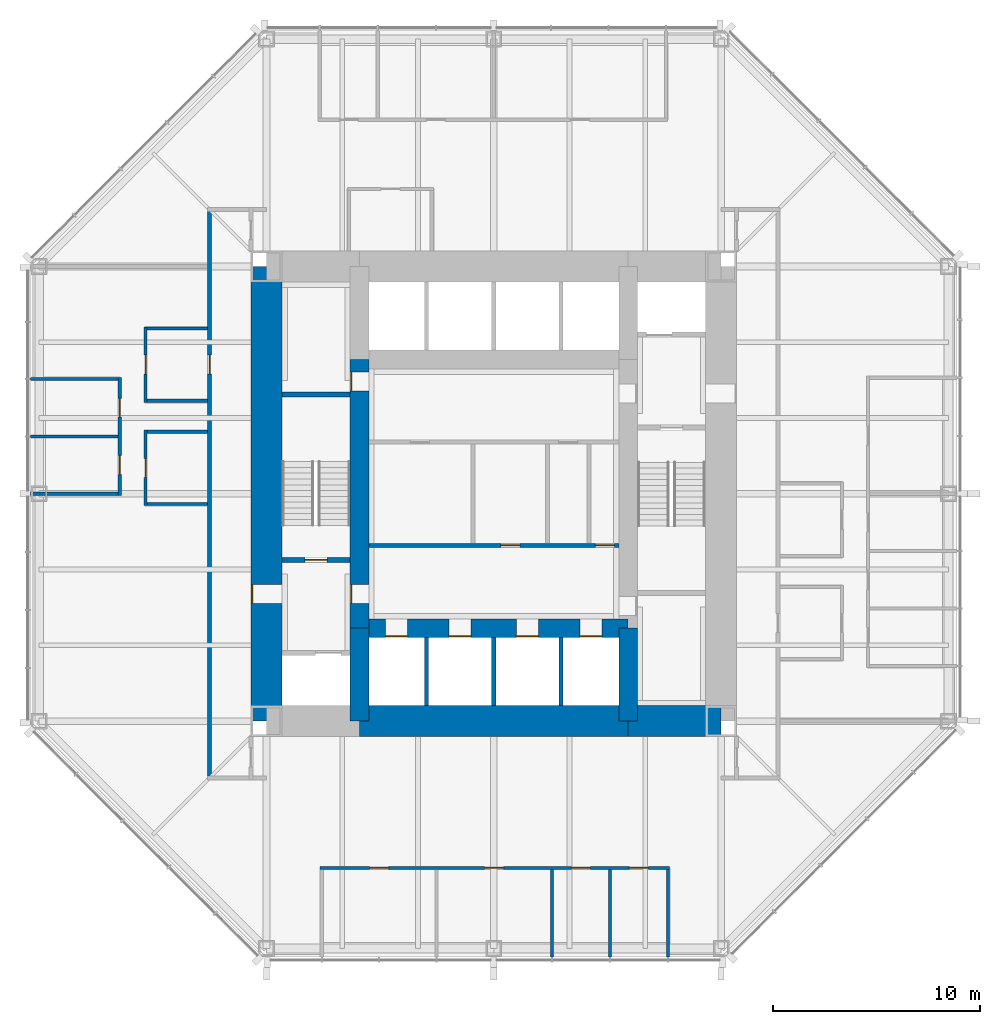
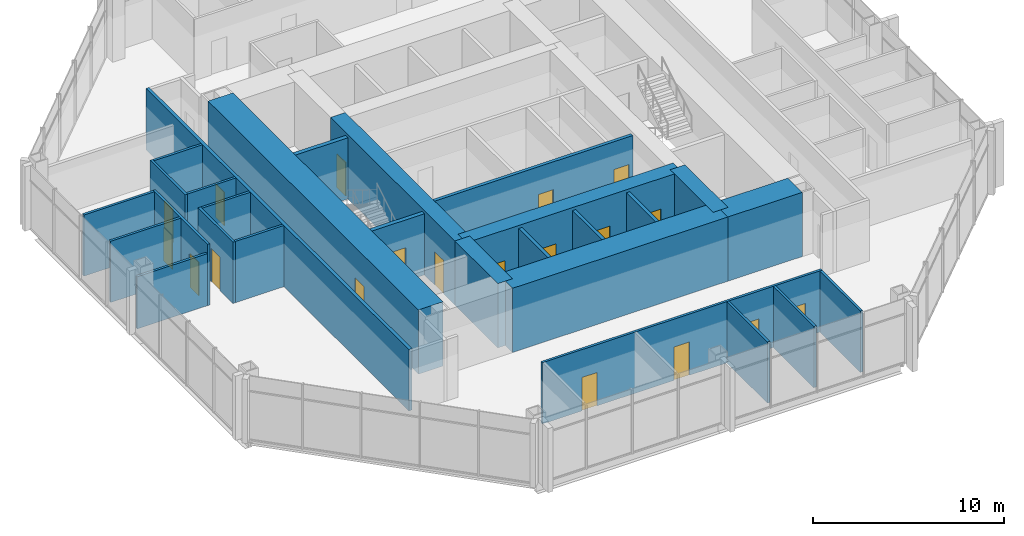
# One storey, part 9 of 12: 28 walls, 19 doors, 19 openings.
"""IFC4 building model written with IfcOpenShell, lengths in metres."""

from ifc_helpers import new_model, si_unit, direction, frame, frame_2d, origin, place, context, subcontext, project, spatial, rectangle, extrude, material, layer, layer_set, type_object, element, fill, save


model = new_model("IFC4")

# Units and contexts
model_context = context("Model", 3, precision=1e-05, world=origin(), true_north=direction((0.0, 1.0)))
body_context = subcontext(model_context, "Body", "Model", "MODEL_VIEW")
ifc_project = project(units=[si_unit("LENGTHUNIT", "METRE"), si_unit("AREAUNIT", "SQUARE_METRE"), si_unit("VOLUMEUNIT", "CUBIC_METRE"), si_unit("PLANEANGLEUNIT", "RADIAN"), si_unit("MASSUNIT", "GRAM", prefix="KILO")], contexts=[model_context])

# Site, building, storey
site_placement = place(None, origin())
site = spatial("IfcSite", under=ifc_project, at=site_placement, CompositionType="ELEMENT")
building_placement = place(site_placement, origin())
building = spatial("IfcBuilding", under=site, at=building_placement, Name="Trevanion Tower", CompositionType="ELEMENT")
storey_placement = place(building_placement, frame((0.0, 0.0, 141.800048828125)))
storey = spatial("IfcBuildingStorey", under=building, at=storey_placement, Name="L33", CompositionType="ELEMENT", Elevation=141.800048828125)

# Wall, opening, door
ifc_material_1 = material(Name="Concrete 10,000 psi", Category="concrete")
ifc_layer_1 = layer(ifc_material_1, 1.5)
ifc_layer_set_1 = layer_set([ifc_layer_1], Name="CW1 core wall 1500")
wall_type_1 = type_object("IfcWallType", Name="CW1 core wall 1500", PredefinedType="SHEAR", material=ifc_layer_set_1)
wall_1_placement = place(storey_placement, frame((-11.0, 11.0, 0.0), z_axis=(0.0, 0.0, 1.0), x_axis=(0.0, -1.0, 0.0)))
wall_1 = element("IfcWall", 1, at=wall_1_placement, inside=storey, type_object=wall_type_1, Name="CW1 CW L33", PredefinedType="SHEAR", context=body_context, shape_type="SweptSolid", body=[
    extrude(rectangle(XDim=22.0, YDim=1.5, at=frame_2d((11.0, 0.0))), origin(), (0.0, 0.0, 1.0), 4.099853515625),
])
opening_1_placement = place(wall_1_placement, frame((15.392578125, 0.0, 0.0)))
opening_1 = element("IfcOpeningElement", 2, at=opening_1_placement, cuts=wall_1, Name="Opening 33-002", PredefinedType="OPENING", context=body_context, shape_type="SweptSolid", body=[
    extrude(rectangle(XDim=0.9150390625, YDim=2.134033203125, at=frame_2d((0.45751953125, 1.06689453125))), frame((0.0, 0.760009765625, 0.0), z_axis=(0.0, -1.0, 0.0), x_axis=(1.0, 0.0, 0.0)), (0.0, 0.0, 1.0), 1.52001953125),
])
ifc_material_2 = material(Name="Hollow metal, fire rated", Category="steel")
door_type_1 = type_object("IfcDoorType", Name="D3 fire lift lobby door", OperationType="SINGLE_SWING_RIGHT", PredefinedType="DOOR", material=ifc_material_2)
door_1_placement = place(opening_1_placement, origin())
door_1 = element("IfcDoor", 3, at=door_1_placement, inside=storey, type_object=door_type_1, Name="Door 33-002", OperationType="SINGLE_SWING_RIGHT", OverallHeight=2.134033203125, OverallWidth=0.9150390625, PredefinedType="DOOR", context=body_context, shape_type="SweptSolid", body=[
    extrude(rectangle(XDim=0.9150390625, YDim=2.134033203125, at=frame_2d((0.45751953125, 1.06689453125))), frame((0.0, -0.6748046875, 0.0), z_axis=(0.0, -1.0, 0.0), x_axis=(1.0, 0.0, 0.0)), (0.0, 0.0, 1.0), 0.050048828125),
])
fill(opening_1, door_1)

# Walls
wall_2_placement = place(storey_placement, frame((-6.5, -11.0, 0.0), z_axis=(0.0, 0.0, 1.0), x_axis=(1.0, 0.0, 0.0)))
element("IfcWall", 4, at=wall_2_placement, inside=storey, type_object=wall_type_1, Name="CW1 CS2 L33", PredefinedType="SHEAR", context=body_context, shape_type="SweptSolid", body=[
    extrude(rectangle(XDim=13.0, YDim=1.5, at=frame_2d((6.5, 0.0))), origin(), (0.0, 0.0, 1.0), 4.099853515625),
])
wall_3_placement = place(storey_placement, frame((6.5, -11.0, 0.0), z_axis=(0.0, 0.0, 1.0), x_axis=(1.0, 0.0, 0.0)))
element("IfcWall", 5, at=wall_3_placement, inside=storey, type_object=wall_type_1, Name="CW1 CS3 L33", PredefinedType="SHEAR", context=body_context, shape_type="SweptSolid", body=[
    extrude(rectangle(XDim=4.5, YDim=1.5, at=frame_2d((2.25, 0.0))), origin(), (0.0, 0.0, 1.0), 4.099853515625),
])
ifc_material_3 = material(Name="Concrete 10,000 psi", Category="concrete")
ifc_layer_2 = layer(ifc_material_3, 0.89990234375)
ifc_layer_set_2 = layer_set([ifc_layer_2], Name="CW2 core wall 900")
wall_type_2 = type_object("IfcWallType", Name="CW2 core wall 900", PredefinedType="SHEAR", material=ifc_layer_set_2)
wall_4_placement = place(storey_placement, frame((6.5, -11.0, 0.0), z_axis=(0.0, 0.0, 1.0), x_axis=(0.0, 1.0, 0.0)))
element("IfcWall", 6, at=wall_4_placement, inside=storey, type_object=wall_type_2, Name="CW2 RE1 L33", PredefinedType="SHEAR", context=body_context, shape_type="SweptSolid", body=[
    extrude(rectangle(XDim=4.5, YDim=0.89990234375, at=frame_2d((2.25, 0.0))), origin(), (0.0, 0.0, 1.0), 4.099853515625),
])

# Wall, openings, doors
wall_5_placement = place(storey_placement, frame((-6.5, 6.5, 0.0), z_axis=(0.0, 0.0, 1.0), x_axis=(0.0, -1.0, 0.0)))
wall_5 = element("IfcWall", 7, at=wall_5_placement, inside=storey, type_object=wall_type_2, Name="CW2 RW2 L33", PredefinedType="SHEAR", context=body_context, shape_type="SweptSolid", body=[
    extrude(rectangle(XDim=13.0, YDim=0.89990234375, at=frame_2d((6.5, 0.0))), origin(), (0.0, 0.0, 1.0), 4.099853515625),
])
opening_2_placement = place(wall_5_placement, frame((10.892578125, 0.0, 0.0)))
opening_2 = element("IfcOpeningElement", 8, at=opening_2_placement, cuts=wall_5, Name="Opening 33-004", PredefinedType="OPENING", context=body_context, shape_type="SweptSolid", body=[
    extrude(rectangle(XDim=0.9150390625, YDim=2.134033203125, at=frame_2d((0.45751953125, 1.06689453125))), frame((0.0, 0.4599609375, 0.0), z_axis=(0.0, -1.0, 0.0), x_axis=(1.0, 0.0, 0.0)), (0.0, 0.0, 1.0), 0.919921875),
])
opening_3_placement = place(wall_5_placement, frame((0.610107421875, 0.0, 0.0)))
opening_3 = element("IfcOpeningElement", 9, at=opening_3_placement, cuts=wall_5, Name="Opening 33-010", PredefinedType="OPENING", context=body_context, shape_type="SweptSolid", body=[
    extrude(rectangle(XDim=0.9150390625, YDim=2.134033203125, at=frame_2d((0.45751953125, 1.06689453125))), frame((0.0, 0.4599609375, 0.0), z_axis=(0.0, -1.0, 0.0), x_axis=(1.0, 0.0, 0.0)), (0.0, 0.0, 1.0), 0.919921875),
])
door_2_placement = place(opening_2_placement, origin())
door_2 = element("IfcDoor", 10, at=door_2_placement, inside=storey, type_object=door_type_1, Name="Door 33-004", OperationType="SINGLE_SWING_RIGHT", OverallHeight=2.134033203125, OverallWidth=0.9150390625, PredefinedType="DOOR", context=body_context, shape_type="SweptSolid", body=[
    extrude(rectangle(XDim=0.9150390625, YDim=2.134033203125, at=frame_2d((0.45751953125, 1.06689453125))), frame((0.0, -0.375, 0.0), z_axis=(0.0, -1.0, 0.0), x_axis=(1.0, 0.0, 0.0)), (0.0, 0.0, 1.0), 0.050048828125),
])
fill(opening_2, door_2)
ifc_material_4 = material(Name="Hollow metal, fire rated", Category="steel")
door_type_2 = type_object("IfcDoorType", Name="D5 service room door", OperationType="SINGLE_SWING_RIGHT", PredefinedType="DOOR", material=ifc_material_4)
door_3_placement = place(opening_3_placement, origin())
door_3 = element("IfcDoor", 11, at=door_3_placement, inside=storey, type_object=door_type_2, Name="Door 33-010", OperationType="SINGLE_SWING_RIGHT", OverallHeight=2.134033203125, OverallWidth=0.9150390625, PredefinedType="DOOR", context=body_context, shape_type="SweptSolid", body=[
    extrude(rectangle(XDim=0.9150390625, YDim=2.134033203125, at=frame_2d((0.45751953125, 1.06689453125))), frame((0.0, -0.375, 0.0), z_axis=(0.0, -1.0, 0.0), x_axis=(1.0, 0.0, 0.0)), (0.0, 0.0, 1.0), 0.050048828125),
])
fill(opening_3, door_3)

# Wall
wall_6_placement = place(storey_placement, frame((-6.5, -6.5, 0.0), z_axis=(0.0, 0.0, 1.0), x_axis=(0.0, -1.0, 0.0)))
element("IfcWall", 12, at=wall_6_placement, inside=storey, type_object=wall_type_2, Name="CW2 RW3 L33", PredefinedType="SHEAR", context=body_context, shape_type="SweptSolid", body=[
    extrude(rectangle(XDim=4.5, YDim=0.89990234375, at=frame_2d((2.25, 0.0))), origin(), (0.0, 0.0, 1.0), 4.099853515625),
])

# Wall, openings, doors
wall_7_placement = place(storey_placement, frame((-6.5, -6.5, 0.0), z_axis=(0.0, 0.0, 1.0), x_axis=(1.0, 0.0, 0.0)))
wall_7 = element("IfcWall", 13, at=wall_7_placement, inside=storey, type_object=wall_type_2, Name="CW2 RS L33", PredefinedType="SHEAR", context=body_context, shape_type="SweptSolid", body=[
    extrude(rectangle(XDim=13.0, YDim=0.89990234375, at=frame_2d((6.5, 0.0))), origin(), (0.0, 0.0, 1.0), 4.099853515625),
])
opening_4_placement = place(wall_7_placement, frame((1.2666015625, 0.0, 0.0)))
opening_4 = element("IfcOpeningElement", 14, at=opening_4_placement, cuts=wall_7, Name="Opening 33-011", PredefinedType="OPENING", context=body_context, shape_type="SweptSolid", body=[
    extrude(rectangle(XDim=1.06689453125, YDim=2.134033203125, at=frame_2d((0.533447265625, 1.06689453125))), frame((0.0, 0.4599609375, 0.0), z_axis=(0.0, -1.0, 0.0), x_axis=(1.0, 0.0, 0.0)), (0.0, 0.0, 1.0), 0.919921875),
])
opening_5_placement = place(wall_7_placement, frame((4.341552734375, 0.0, 0.0)))
opening_5 = element("IfcOpeningElement", 15, at=opening_5_placement, cuts=wall_7, Name="Opening 33-012", PredefinedType="OPENING", context=body_context, shape_type="SweptSolid", body=[
    extrude(rectangle(XDim=1.06689453125, YDim=2.134033203125, at=frame_2d((0.533447265625, 1.06689453125))), frame((0.0, 0.4599609375, 0.0), z_axis=(0.0, -1.0, 0.0), x_axis=(1.0, 0.0, 0.0)), (0.0, 0.0, 1.0), 0.919921875),
])
opening_6_placement = place(wall_7_placement, frame((7.591552734375, 0.0, 0.0)))
opening_6 = element("IfcOpeningElement", 16, at=opening_6_placement, cuts=wall_7, Name="Opening 33-013", PredefinedType="OPENING", context=body_context, shape_type="SweptSolid", body=[
    extrude(rectangle(XDim=1.06689453125, YDim=2.134033203125, at=frame_2d((0.533447265625, 1.06689453125))), frame((0.0, 0.4599609375, 0.0), z_axis=(0.0, -1.0, 0.0), x_axis=(1.0, 0.0, 0.0)), (0.0, 0.0, 1.0), 0.919921875),
])
opening_7_placement = place(wall_7_placement, frame((10.66650390625, 0.0, 0.0)))
opening_7 = element("IfcOpeningElement", 17, at=opening_7_placement, cuts=wall_7, Name="Opening 33-014", PredefinedType="OPENING", context=body_context, shape_type="SweptSolid", body=[
    extrude(rectangle(XDim=1.06689453125, YDim=2.134033203125, at=frame_2d((0.533447265625, 1.06689453125))), frame((0.0, 0.4599609375, 0.0), z_axis=(0.0, -1.0, 0.0), x_axis=(1.0, 0.0, 0.0)), (0.0, 0.0, 1.0), 0.919921875),
])
ifc_material_5 = material(Name="Stainless steel, fire rated", Category="steel")
door_type_3 = type_object("IfcDoorType", Name="LD1 lift landing door", OperationType="SLIDING_TO_LEFT", PredefinedType="DOOR", material=ifc_material_5)
door_4_placement = place(opening_4_placement, origin())
door_4 = element("IfcDoor", 18, at=door_4_placement, inside=storey, type_object=door_type_3, Name="Door 33-011", OperationType="SLIDING_TO_LEFT", OverallHeight=2.134033203125, OverallWidth=1.06689453125, PredefinedType="DOOR", context=body_context, shape_type="SweptSolid", body=[
    extrude(rectangle(XDim=1.06689453125, YDim=2.134033203125, at=frame_2d((0.533447265625, 1.06689453125))), frame((0.0, -0.375, 0.0), z_axis=(0.0, -1.0, 0.0), x_axis=(1.0, 0.0, 0.0)), (0.0, 0.0, 1.0), 0.050048828125),
])
fill(opening_4, door_4)
door_5_placement = place(opening_5_placement, origin())
door_5 = element("IfcDoor", 19, at=door_5_placement, inside=storey, type_object=door_type_3, Name="Door 33-012", OperationType="SLIDING_TO_LEFT", OverallHeight=2.134033203125, OverallWidth=1.06689453125, PredefinedType="DOOR", context=body_context, shape_type="SweptSolid", body=[
    extrude(rectangle(XDim=1.06689453125, YDim=2.134033203125, at=frame_2d((0.533447265625, 1.06689453125))), frame((0.0, -0.375, 0.0), z_axis=(0.0, -1.0, 0.0), x_axis=(1.0, 0.0, 0.0)), (0.0, 0.0, 1.0), 0.050048828125),
])
fill(opening_5, door_5)
door_6_placement = place(opening_6_placement, origin())
door_6 = element("IfcDoor", 20, at=door_6_placement, inside=storey, type_object=door_type_3, Name="Door 33-013", OperationType="SLIDING_TO_LEFT", OverallHeight=2.134033203125, OverallWidth=1.06689453125, PredefinedType="DOOR", context=body_context, shape_type="SweptSolid", body=[
    extrude(rectangle(XDim=1.06689453125, YDim=2.134033203125, at=frame_2d((0.533447265625, 1.06689453125))), frame((0.0, -0.375, 0.0), z_axis=(0.0, -1.0, 0.0), x_axis=(1.0, 0.0, 0.0)), (0.0, 0.0, 1.0), 0.050048828125),
])
fill(opening_6, door_6)
door_7_placement = place(opening_7_placement, origin())
door_7 = element("IfcDoor", 21, at=door_7_placement, inside=storey, type_object=door_type_3, Name="Door 33-014", OperationType="SLIDING_TO_LEFT", OverallHeight=2.134033203125, OverallWidth=1.06689453125, PredefinedType="DOOR", context=body_context, shape_type="SweptSolid", body=[
    extrude(rectangle(XDim=1.06689453125, YDim=2.134033203125, at=frame_2d((0.533447265625, 1.06689453125))), frame((0.0, -0.375, 0.0), z_axis=(0.0, -1.0, 0.0), x_axis=(1.0, 0.0, 0.0)), (0.0, 0.0, 1.0), 0.050048828125),
])
fill(opening_7, door_7)

ifc_material_6 = material(Name="Gypsum board on steel studs", Category="steel")
ifc_layer_3 = layer(ifc_material_6, 0.14990234375)
ifc_layer_set_3 = layer_set([ifc_layer_3], Name="PT1 partition 150")
wall_type_3 = type_object("IfcWallType", Name="PT1 partition 150", PredefinedType="PARTITIONING", material=ifc_layer_set_3)
wall_8_placement = place(storey_placement, frame((-8.39794921875, -18.10009765625, 0.0), z_axis=(0.0, 0.0, 1.0), x_axis=(1.0, 0.0, 0.0)))
wall_8 = element("IfcWall", 22, at=wall_8_placement, inside=storey, type_object=wall_type_3, Name="PT1 L33 FC3F", PredefinedType="PARTITIONING", context=body_context, shape_type="SweptSolid", body=[
    extrude(rectangle(XDim=16.89404296875, YDim=0.14990234375, at=frame_2d((8.447021484375, 0.0))), origin(), (0.0, 0.0, 1.0), 3.909912109375),
])
opening_8_placement = place(wall_8_placement, frame((2.3916015625, 0.0, 0.0)))
opening_8 = element("IfcOpeningElement", 23, at=opening_8_placement, cuts=wall_8, Name="Opening 33-026", PredefinedType="OPENING", context=body_context, shape_type="SweptSolid", body=[
    extrude(rectangle(XDim=0.9150390625, YDim=2.134033203125, at=frame_2d((0.45751953125, 1.06689453125))), frame((0.0, 0.0849609375, 0.0), z_axis=(0.0, -1.0, 0.0), x_axis=(1.0, 0.0, 0.0)), (0.0, 0.0, 1.0), 0.169921875),
])
opening_9_placement = place(wall_8_placement, frame((7.95654296875, 0.0, 0.0)))
opening_9 = element("IfcOpeningElement", 24, at=opening_9_placement, cuts=wall_8, Name="Opening 33-027", PredefinedType="OPENING", context=body_context, shape_type="SweptSolid", body=[
    extrude(rectangle(XDim=0.9150390625, YDim=2.134033203125, at=frame_2d((0.45751953125, 1.06689453125))), frame((0.0, 0.0849609375, 0.0), z_axis=(0.0, -1.0, 0.0), x_axis=(1.0, 0.0, 0.0)), (0.0, 0.0, 1.0), 0.169921875),
])
opening_10_placement = place(wall_8_placement, frame((12.15087890625, 0.0, 0.0)))
opening_10 = element("IfcOpeningElement", 25, at=opening_10_placement, cuts=wall_8, Name="Opening 33-028", PredefinedType="OPENING", context=body_context, shape_type="SweptSolid", body=[
    extrude(rectangle(XDim=0.9150390625, YDim=2.134033203125, at=frame_2d((0.45751953125, 1.06689453125))), frame((0.0, 0.0849609375, 0.0), z_axis=(0.0, -1.0, 0.0), x_axis=(1.0, 0.0, 0.0)), (0.0, 0.0, 1.0), 0.169921875),
])
opening_11_placement = place(wall_8_placement, frame((14.9580078125, 0.0, 0.0)))
opening_11 = element("IfcOpeningElement", 26, at=opening_11_placement, cuts=wall_8, Name="Opening 33-029", PredefinedType="OPENING", context=body_context, shape_type="SweptSolid", body=[
    extrude(rectangle(XDim=0.9150390625, YDim=2.134033203125, at=frame_2d((0.45751953125, 1.06689453125))), frame((0.0, 0.0849609375, 0.0), z_axis=(0.0, -1.0, 0.0), x_axis=(1.0, 0.0, 0.0)), (0.0, 0.0, 1.0), 0.169921875),
])
ifc_material_7 = material(Name="Timber veneer, solid core", Category="wood")
door_type_4 = type_object("IfcDoorType", Name="D1 office and meeting room door", OperationType="SINGLE_SWING_LEFT", PredefinedType="DOOR", material=ifc_material_7)
door_8_placement = place(opening_8_placement, origin())
door_8 = element("IfcDoor", 27, at=door_8_placement, inside=storey, type_object=door_type_4, Name="Door 33-026", OperationType="SINGLE_SWING_LEFT", OverallHeight=2.134033203125, OverallWidth=0.9150390625, PredefinedType="DOOR", context=body_context, shape_type="SweptSolid", body=[
    extrude(rectangle(XDim=0.9150390625, YDim=2.134033203125, at=frame_2d((0.45751953125, 1.06689453125))), frame((0.0, 0.02490234375, 0.0), z_axis=(0.0, -1.0, 0.0), x_axis=(1.0, 0.0, 0.0)), (0.0, 0.0, 1.0), 0.050048828125),
])
fill(opening_8, door_8)
door_9_placement = place(opening_9_placement, origin())
door_9 = element("IfcDoor", 28, at=door_9_placement, inside=storey, type_object=door_type_4, Name="Door 33-027", OperationType="SINGLE_SWING_LEFT", OverallHeight=2.134033203125, OverallWidth=0.9150390625, PredefinedType="DOOR", context=body_context, shape_type="SweptSolid", body=[
    extrude(rectangle(XDim=0.9150390625, YDim=2.134033203125, at=frame_2d((0.45751953125, 1.06689453125))), frame((0.0, 0.02490234375, 0.0), z_axis=(0.0, -1.0, 0.0), x_axis=(1.0, 0.0, 0.0)), (0.0, 0.0, 1.0), 0.050048828125),
])
fill(opening_9, door_9)
door_10_placement = place(opening_10_placement, origin())
door_10 = element("IfcDoor", 29, at=door_10_placement, inside=storey, type_object=door_type_4, Name="Door 33-028", OperationType="SINGLE_SWING_LEFT", OverallHeight=2.134033203125, OverallWidth=0.9150390625, PredefinedType="DOOR", context=body_context, shape_type="SweptSolid", body=[
    extrude(rectangle(XDim=0.9150390625, YDim=2.134033203125, at=frame_2d((0.45751953125, 1.06689453125))), frame((0.0, 0.02490234375, 0.0), z_axis=(0.0, -1.0, 0.0), x_axis=(1.0, 0.0, 0.0)), (0.0, 0.0, 1.0), 0.050048828125),
])
fill(opening_10, door_10)
door_11_placement = place(opening_11_placement, origin())
door_11 = element("IfcDoor", 30, at=door_11_placement, inside=storey, type_object=door_type_4, Name="Door 33-029", OperationType="SINGLE_SWING_LEFT", OverallHeight=2.134033203125, OverallWidth=0.9150390625, PredefinedType="DOOR", context=body_context, shape_type="SweptSolid", body=[
    extrude(rectangle(XDim=0.9150390625, YDim=2.134033203125, at=frame_2d((0.45751953125, 1.06689453125))), frame((0.0, 0.02490234375, 0.0), z_axis=(0.0, -1.0, 0.0), x_axis=(1.0, 0.0, 0.0)), (0.0, 0.0, 1.0), 0.050048828125),
])
fill(opening_11, door_11)

# Walls
for number, where, z_axis, x_axis, name in (
    (31, (2.806884765625, -18.175048828125, 0.0), (0.0, 0.0, 1.0), (0.0, -1.0, 0.0), "PT1 L33 FC3S4"),
    (32, (5.614013671875, -18.175048828125, 0.0), (0.0, 0.0, 1.0), (0.0, -1.0, 0.0), "PT1 L33 FC3S5"),
    (33, (8.4208984375, -18.175048828125, 0.0), (0.0, 0.0, 1.0), (0.0, -1.0, 0.0), "PT1 L33 FC3S6"),
):
    element("IfcWall", number, at=place(storey_placement, frame(where, z_axis=z_axis, x_axis=x_axis)), inside=storey, type_object=wall_type_3, Name=name, PredefinedType="PARTITIONING", context=body_context, shape_type="SweptSolid", body=[
        extrude(rectangle(XDim=4.239990234375, YDim=0.14990234375, at=frame_2d((2.1201171875, 0.0))), origin(), (0.0, 0.0, 1.0), 3.909912109375),
    ])

# Wall, openings, doors
wall_9_placement = place(storey_placement, frame((-18.10009765625, 5.6240234375, 0.0), z_axis=(0.0, 0.0, 1.0), x_axis=(0.0, -1.0, 0.0)))
wall_9 = element("IfcWall", 34, at=wall_9_placement, inside=storey, type_object=wall_type_3, Name="PT1 L33 FC2F", PredefinedType="PARTITIONING", context=body_context, shape_type="SweptSolid", body=[
    extrude(rectangle(XDim=5.698974609375, YDim=0.14990234375, at=frame_2d((2.849609375, 0.0))), origin(), (0.0, 0.0, 1.0), 3.909912109375),
])
opening_12_placement = place(wall_9_placement, frame((1.00439453125, 0.0, 0.0)))
opening_12 = element("IfcOpeningElement", 35, at=opening_12_placement, cuts=wall_9, Name="Opening 33-034", PredefinedType="OPENING", context=body_context, shape_type="SweptSolid", body=[
    extrude(rectangle(XDim=0.9150390625, YDim=2.134033203125, at=frame_2d((0.45751953125, 1.06689453125))), frame((0.0, 0.0849609375, 0.0), z_axis=(0.0, -1.0, 0.0), x_axis=(1.0, 0.0, 0.0)), (0.0, 0.0, 1.0), 0.169921875),
])
opening_13_placement = place(wall_9_placement, frame((3.779052734375, 0.0, 0.0)))
opening_13 = element("IfcOpeningElement", 36, at=opening_13_placement, cuts=wall_9, Name="Opening 33-035", PredefinedType="OPENING", context=body_context, shape_type="SweptSolid", body=[
    extrude(rectangle(XDim=0.9150390625, YDim=2.134033203125, at=frame_2d((0.45751953125, 1.06689453125))), frame((0.0, 0.0849609375, 0.0), z_axis=(0.0, -1.0, 0.0), x_axis=(1.0, 0.0, 0.0)), (0.0, 0.0, 1.0), 0.169921875),
])
door_12_placement = place(opening_12_placement, origin())
door_12 = element("IfcDoor", 37, at=door_12_placement, inside=storey, type_object=door_type_4, Name="Door 33-034", OperationType="SINGLE_SWING_LEFT", OverallHeight=2.134033203125, OverallWidth=0.9150390625, PredefinedType="DOOR", context=body_context, shape_type="SweptSolid", body=[
    extrude(rectangle(XDim=0.9150390625, YDim=2.134033203125, at=frame_2d((0.45751953125, 1.06689453125))), frame((0.0, 0.02490234375, 0.0), z_axis=(0.0, -1.0, 0.0), x_axis=(1.0, 0.0, 0.0)), (0.0, 0.0, 1.0), 0.050048828125),
])
fill(opening_12, door_12)
door_13_placement = place(opening_13_placement, origin())
door_13 = element("IfcDoor", 38, at=door_13_placement, inside=storey, type_object=door_type_4, Name="Door 33-035", OperationType="SINGLE_SWING_LEFT", OverallHeight=2.134033203125, OverallWidth=0.9150390625, PredefinedType="DOOR", context=body_context, shape_type="SweptSolid", body=[
    extrude(rectangle(XDim=0.9150390625, YDim=2.134033203125, at=frame_2d((0.45751953125, 1.06689453125))), frame((0.0, 0.02490234375, 0.0), z_axis=(0.0, -1.0, 0.0), x_axis=(1.0, 0.0, 0.0)), (0.0, 0.0, 1.0), 0.050048828125),
])
fill(opening_13, door_13)

# Walls
for number, where, z_axis, x_axis, name in (
    (39, (-18.175048828125, 5.549072265625, 0.0), (0.0, 0.0, 1.0), (-1.0, 0.0, 0.0), "PT1 L33 FC2S0"),
    (40, (-18.175048828125, 2.77490234375, 0.0), (0.0, 0.0, 1.0), (-1.0, 0.0, 0.0), "PT1 L33 FC2S1"),
):
    element("IfcWall", number, at=place(storey_placement, frame(where, z_axis=z_axis, x_axis=x_axis)), inside=storey, type_object=wall_type_3, Name=name, PredefinedType="PARTITIONING", context=body_context, shape_type="SweptSolid", body=[
        extrude(rectangle(XDim=4.239990234375, YDim=0.14990234375, at=frame_2d((2.1201171875, 0.0))), origin(), (0.0, 0.0, 1.0), 3.909912109375),
    ])
wall_10_placement = place(storey_placement, frame((-18.175048828125, 0.0, 0.0), z_axis=(0.0, 0.0, 1.0), x_axis=(-1.0, 0.0, 0.0)))
element("IfcWall", 41, at=wall_10_placement, inside=storey, type_object=wall_type_3, Name="PT1 L33 FC2S2", PredefinedType="PARTITIONING", context=body_context, shape_type="SweptSolid", body=[
    extrude(rectangle(XDim=4.239990234375, YDim=0.14990234375, at=frame_2d((2.1201171875, 0.0))), origin(), (0.0, 0.0, 1.0), 3.32568359375),
])

# Wall, opening, door
wall_11_placement = place(storey_placement, frame((-16.85009765625, 8.074951171875, 0.0), z_axis=(0.0, 0.0, 1.0), x_axis=(0.0, -1.0, 0.0)))
wall_11 = element("IfcWall", 42, at=wall_11_placement, inside=storey, type_object=wall_type_3, Name="PT1 L33 IN20F", PredefinedType="PARTITIONING", context=body_context, shape_type="SweptSolid", body=[
    extrude(rectangle(XDim=3.64990234375, YDim=0.14990234375, at=frame_2d((1.824951171875, 0.0))), origin(), (0.0, 0.0, 1.0), 3.909912109375),
])
opening_14_placement = place(wall_11_placement, frame((1.367431640625, 0.0, 0.0)))
opening_14 = element("IfcOpeningElement", 43, at=opening_14_placement, cuts=wall_11, Name="Opening 33-039", PredefinedType="OPENING", context=body_context, shape_type="SweptSolid", body=[
    extrude(rectangle(XDim=0.9150390625, YDim=2.134033203125, at=frame_2d((0.45751953125, 1.06689453125))), frame((0.0, 0.0849609375, 0.0), z_axis=(0.0, -1.0, 0.0), x_axis=(1.0, 0.0, 0.0)), (0.0, 0.0, 1.0), 0.169921875),
])
door_14_placement = place(opening_14_placement, origin())
door_14 = element("IfcDoor", 44, at=door_14_placement, inside=storey, type_object=door_type_4, Name="Door 33-039", OperationType="SINGLE_SWING_LEFT", OverallHeight=2.134033203125, OverallWidth=0.9150390625, PredefinedType="DOOR", context=body_context, shape_type="SweptSolid", body=[
    extrude(rectangle(XDim=0.9150390625, YDim=2.134033203125, at=frame_2d((0.45751953125, 1.06689453125))), frame((0.0, 0.02490234375, 0.0), z_axis=(0.0, -1.0, 0.0), x_axis=(1.0, 0.0, 0.0)), (0.0, 0.0, 1.0), 0.050048828125),
])
fill(opening_14, door_14)

# Walls
for number, where, z_axis, x_axis, name in (
    (45, (-16.77490234375, 8.0, 0.0), (0.0, 0.0, 1.0), (1.0, 0.0, 0.0), "PT1 L33 IN20S0"),
    (46, (-16.77490234375, 4.5, 0.0), (0.0, 0.0, 1.0), (1.0, 0.0, 0.0), "PT1 L33 IN20S1"),
):
    element("IfcWall", number, at=place(storey_placement, frame(where, z_axis=z_axis, x_axis=x_axis)), inside=storey, type_object=wall_type_3, Name=name, PredefinedType="PARTITIONING", context=body_context, shape_type="SweptSolid", body=[
        extrude(rectangle(XDim=2.9248046875, YDim=0.14990234375, at=frame_2d((1.46240234375, 0.0))), origin(), (0.0, 0.0, 1.0), 3.909912109375),
    ])

# Wall, opening, door
wall_12_placement = place(storey_placement, frame((-16.85009765625, 3.074951171875, 0.0), z_axis=(0.0, 0.0, 1.0), x_axis=(0.0, -1.0, 0.0)))
wall_12 = element("IfcWall", 47, at=wall_12_placement, inside=storey, type_object=wall_type_3, Name="PT1 L33 IN21F", PredefinedType="PARTITIONING", context=body_context, shape_type="SweptSolid", body=[
    extrude(rectangle(XDim=3.64990234375, YDim=0.14990234375, at=frame_2d((1.824951171875, 0.0))), origin(), (0.0, 0.0, 1.0), 3.909912109375),
])
opening_15_placement = place(wall_12_placement, frame((1.367431640625, 0.0, 0.0)))
opening_15 = element("IfcOpeningElement", 48, at=opening_15_placement, cuts=wall_12, Name="Opening 33-041", PredefinedType="OPENING", context=body_context, shape_type="SweptSolid", body=[
    extrude(rectangle(XDim=0.9150390625, YDim=2.134033203125, at=frame_2d((0.45751953125, 1.06689453125))), frame((0.0, 0.0849609375, 0.0), z_axis=(0.0, -1.0, 0.0), x_axis=(1.0, 0.0, 0.0)), (0.0, 0.0, 1.0), 0.169921875),
])
door_15_placement = place(opening_15_placement, origin())
door_15 = element("IfcDoor", 49, at=door_15_placement, inside=storey, type_object=door_type_4, Name="Door 33-041", OperationType="SINGLE_SWING_LEFT", OverallHeight=2.134033203125, OverallWidth=0.9150390625, PredefinedType="DOOR", context=body_context, shape_type="SweptSolid", body=[
    extrude(rectangle(XDim=0.9150390625, YDim=2.134033203125, at=frame_2d((0.45751953125, 1.06689453125))), frame((0.0, 0.02490234375, 0.0), z_axis=(0.0, -1.0, 0.0), x_axis=(1.0, 0.0, 0.0)), (0.0, 0.0, 1.0), 0.050048828125),
])
fill(opening_15, door_15)

# Walls
for number, where, z_axis, x_axis, name in (
    (50, (-16.77490234375, 3.0, 0.0), (0.0, 0.0, 1.0), (1.0, 0.0, 0.0), "PT1 L33 IN21S0"),
    (51, (-16.77490234375, -0.5, 0.0), (0.0, 0.0, 1.0), (1.0, 0.0, 0.0), "PT1 L33 IN21S1"),
):
    element("IfcWall", number, at=place(storey_placement, frame(where, z_axis=z_axis, x_axis=x_axis)), inside=storey, type_object=wall_type_3, Name=name, PredefinedType="PARTITIONING", context=body_context, shape_type="SweptSolid", body=[
        extrude(rectangle(XDim=2.9248046875, YDim=0.14990234375, at=frame_2d((1.46240234375, 0.0))), origin(), (0.0, 0.0, 1.0), 3.909912109375),
    ])

# Wall, openings, doors
ifc_material_8 = material(Name="Concrete masonry, grouted", Category="masonry")
ifc_layer_4 = layer(ifc_material_8, 0.199951171875)
ifc_layer_set_4 = layer_set([ifc_layer_4], Name="PT2 partition 200 1 HR")
wall_type_4 = type_object("IfcWallType", Name="PT2 partition 200 1 HR", PredefinedType="PARTITIONING", material=ifc_layer_set_4)
wall_13_placement = place(storey_placement, frame((6.050048828125, -2.5, 0.0), z_axis=(0.0, 0.0, 1.0), x_axis=(-1.0, 0.0, 0.0)))
wall_13 = element("IfcWall", 52, at=wall_13_placement, inside=storey, type_object=wall_type_4, Name="PT2 L33 CP2", PredefinedType="PARTITIONING", context=body_context, shape_type="SweptSolid", body=[
    extrude(rectangle(XDim=12.10009765625, YDim=0.199951171875, at=frame_2d((6.050048828125, 0.0))), origin(), (0.0, 0.0, 1.0), 3.909912109375),
])
opening_16_placement = place(wall_13_placement, frame((4.79248046875, 0.0, 0.0)))
opening_16 = element("IfcOpeningElement", 53, at=opening_16_placement, cuts=wall_13, Name="Opening 33-016", PredefinedType="OPENING", context=body_context, shape_type="SweptSolid", body=[
    extrude(rectangle(XDim=0.9150390625, YDim=2.134033203125, at=frame_2d((0.45751953125, 1.06689453125))), frame((0.0, 0.10986328125, 0.0), z_axis=(0.0, -1.0, 0.0), x_axis=(1.0, 0.0, 0.0)), (0.0, 0.0, 1.0), 0.219970703125),
])
opening_17_placement = place(wall_13_placement, frame((0.217529296875, 0.0, 0.0)))
opening_17 = element("IfcOpeningElement", 54, at=opening_17_placement, cuts=wall_13, Name="Opening 33-018", PredefinedType="OPENING", context=body_context, shape_type="SweptSolid", body=[
    extrude(rectangle(XDim=0.9150390625, YDim=2.134033203125, at=frame_2d((0.45751953125, 1.06689453125))), frame((0.0, 0.10986328125, 0.0), z_axis=(0.0, -1.0, 0.0), x_axis=(1.0, 0.0, 0.0)), (0.0, 0.0, 1.0), 0.219970703125),
])
ifc_material_9 = material(Name="Plastic laminate on fire-rated core", Category="wood")
door_type_5 = type_object("IfcDoorType", Name="D12 toilet door in a one hour wall", OperationType="SINGLE_SWING_LEFT", PredefinedType="DOOR", material=ifc_material_9)
door_16_placement = place(opening_16_placement, origin())
door_16 = element("IfcDoor", 55, at=door_16_placement, inside=storey, type_object=door_type_5, Name="Door 33-016", OperationType="SINGLE_SWING_LEFT", OverallHeight=2.134033203125, OverallWidth=0.9150390625, PredefinedType="DOOR", context=body_context, shape_type="SweptSolid", body=[
    extrude(rectangle(XDim=0.9150390625, YDim=2.134033203125, at=frame_2d((0.45751953125, 1.06689453125))), frame((0.0, 0.02490234375, 0.0), z_axis=(0.0, -1.0, 0.0), x_axis=(1.0, 0.0, 0.0)), (0.0, 0.0, 1.0), 0.050048828125),
])
fill(opening_16, door_16)
door_17_placement = place(opening_17_placement, origin())
door_17 = element("IfcDoor", 56, at=door_17_placement, inside=storey, type_object=door_type_5, Name="Door 33-018", OperationType="SINGLE_SWING_LEFT", OverallHeight=2.134033203125, OverallWidth=0.9150390625, PredefinedType="DOOR", context=body_context, shape_type="SweptSolid", body=[
    extrude(rectangle(XDim=0.9150390625, YDim=2.134033203125, at=frame_2d((0.45751953125, 1.06689453125))), frame((0.0, 0.02490234375, 0.0), z_axis=(0.0, -1.0, 0.0), x_axis=(1.0, 0.0, 0.0)), (0.0, 0.0, 1.0), 0.050048828125),
])
fill(opening_17, door_17)

# Wall, opening, door
wall_14_placement = place(storey_placement, frame((-13.75, 13.85009765625, 0.0), z_axis=(0.0, 0.0, 1.0), x_axis=(0.0, -1.0, 0.0)))
wall_14 = element("IfcWall", 57, at=wall_14_placement, inside=storey, type_object=wall_type_4, Name="PT2 L33 OC2", PredefinedType="PARTITIONING", context=body_context, shape_type="SweptSolid", body=[
    extrude(rectangle(XDim=27.5, YDim=0.199951171875, at=frame_2d((13.75, 0.0))), origin(), (0.0, 0.0, 1.0), 3.909912109375),
])
opening_18_placement = place(wall_14_placement, frame((7.142578125, 0.0, 0.0)))
opening_18 = element("IfcOpeningElement", 58, at=opening_18_placement, cuts=wall_14, Name="Opening 33-040", PredefinedType="OPENING", context=body_context, shape_type="SweptSolid", body=[
    extrude(rectangle(XDim=0.9150390625, YDim=2.134033203125, at=frame_2d((0.45751953125, 1.06689453125))), frame((0.0, 0.10986328125, 0.0), z_axis=(0.0, -1.0, 0.0), x_axis=(1.0, 0.0, 0.0)), (0.0, 0.0, 1.0), 0.219970703125),
])
ifc_material_10 = material(Name="Timber veneer, fire rated", Category="wood")
door_type_6 = type_object("IfcDoorType", Name="D10 office door in a one hour wall", OperationType="SINGLE_SWING_LEFT", PredefinedType="DOOR", material=ifc_material_10)
door_18_placement = place(opening_18_placement, origin())
door_18 = element("IfcDoor", 59, at=door_18_placement, inside=storey, type_object=door_type_6, Name="Door 33-040", OperationType="SINGLE_SWING_LEFT", OverallHeight=2.134033203125, OverallWidth=0.9150390625, PredefinedType="DOOR", context=body_context, shape_type="SweptSolid", body=[
    extrude(rectangle(XDim=0.9150390625, YDim=2.134033203125, at=frame_2d((0.45751953125, 1.06689453125))), frame((0.0, 0.02490234375, 0.0), z_axis=(0.0, -1.0, 0.0), x_axis=(1.0, 0.0, 0.0)), (0.0, 0.0, 1.0), 0.050048828125),
])
fill(opening_18, door_18)

# Walls
ifc_material_11 = material(Name="Concrete masonry, grouted", Category="masonry")
ifc_layer_5 = layer(ifc_material_11, 0.199951171875)
ifc_layer_set_5 = layer_set([ifc_layer_5], Name="PT2 partition 200 2 HR")
wall_type_5 = type_object("IfcWallType", Name="PT2 partition 200 2 HR", PredefinedType="PARTITIONING", material=ifc_layer_set_5)
for number, where, z_axis, x_axis, name in (
    (60, (-3.25, -10.25, 0.0), (0.0, 0.0, 1.0), (0.0, 1.0, 0.0), "PT2 L33 SS0"),
    (61, (0.0, -10.25, 0.0), (0.0, 0.0, 1.0), (0.0, 1.0, 0.0), "PT2 L33 SS1"),
    (62, (3.25, -10.25, 0.0), (0.0, 0.0, 1.0), (0.0, 1.0, 0.0), "PT2 L33 SS2"),
):
    element("IfcWall", number, at=place(storey_placement, frame(where, z_axis=z_axis, x_axis=x_axis)), inside=storey, type_object=wall_type_5, Name=name, PredefinedType="PARTITIONING", context=body_context, shape_type="SweptSolid", body=[
        extrude(rectangle(XDim=3.300048828125, YDim=0.199951171875, at=frame_2d((1.64990234375, 0.0))), origin(), (0.0, 0.0, 1.0), 3.909912109375),
    ])
ifc_material_12 = material(Name="Reinforced masonry, fully grouted", Category="masonry")
ifc_layer_6 = layer(ifc_material_12, 0.25)
ifc_layer_set_6 = layer_set([ifc_layer_6], Name="SW1 stair shaft wall 250")
wall_type_6 = type_object("IfcWallType", Name="SW1 stair shaft wall 250", PredefinedType="SOLIDWALL", material=ifc_layer_set_6)
wall_15_placement = place(storey_placement, frame((-6.949951171875, 4.800048828125, 0.0), z_axis=(0.0, 0.0, 1.0), x_axis=(-1.0, 0.0, 0.0)))
element("IfcWall", 63, at=wall_15_placement, inside=storey, type_object=wall_type_6, Name="SW1 L33 WP1", PredefinedType="SOLIDWALL", context=body_context, shape_type="SweptSolid", body=[
    extrude(rectangle(XDim=3.300048828125, YDim=0.25, at=frame_2d((1.64990234375, 0.0))), origin(), (0.0, 0.0, 1.0), 3.909912109375),
])

# Wall, opening, door
wall_16_placement = place(storey_placement, frame((-6.949951171875, -3.199951171875, 0.0), z_axis=(0.0, 0.0, 1.0), x_axis=(-1.0, 0.0, 0.0)))
wall_16 = element("IfcWall", 64, at=wall_16_placement, inside=storey, type_object=wall_type_6, Name="SW1 L33 WP2", PredefinedType="SOLIDWALL", context=body_context, shape_type="SweptSolid", body=[
    extrude(rectangle(XDim=3.300048828125, YDim=0.25, at=frame_2d((1.64990234375, 0.0))), origin(), (0.0, 0.0, 1.0), 3.909912109375),
])
opening_19_placement = place(wall_16_placement, frame((1.116455078125, 0.0, 0.0)))
opening_19 = element("IfcOpeningElement", 65, at=opening_19_placement, cuts=wall_16, Name="Opening 33-006", PredefinedType="OPENING", context=body_context, shape_type="SweptSolid", body=[
    extrude(rectangle(XDim=1.06689453125, YDim=2.134033203125, at=frame_2d((0.533447265625, 1.06689453125))), frame((0.0, 0.135009765625, 0.0), z_axis=(0.0, -1.0, 0.0), x_axis=(1.0, 0.0, 0.0)), (0.0, 0.0, 1.0), 0.27001953125),
])
ifc_material_13 = material(Name="Hollow metal, fire rated", Category="steel")
door_type_7 = type_object("IfcDoorType", Name="D2 exit stair door", OperationType="SINGLE_SWING_LEFT", PredefinedType="DOOR", material=ifc_material_13)
door_19_placement = place(opening_19_placement, origin())
door_19 = element("IfcDoor", 66, at=door_19_placement, inside=storey, type_object=door_type_7, Name="Door 33-006", OperationType="SINGLE_SWING_LEFT", OverallHeight=2.134033203125, OverallWidth=1.06689453125, PredefinedType="DOOR", context=body_context, shape_type="SweptSolid", body=[
    extrude(rectangle(XDim=1.06689453125, YDim=2.134033203125, at=frame_2d((0.533447265625, 1.06689453125))), frame((0.0, 0.02490234375, 0.0), z_axis=(0.0, -1.0, 0.0), x_axis=(1.0, 0.0, 0.0)), (0.0, 0.0, 1.0), 0.050048828125),
])
fill(opening_19, door_19)

save(model, "model.ifc")
